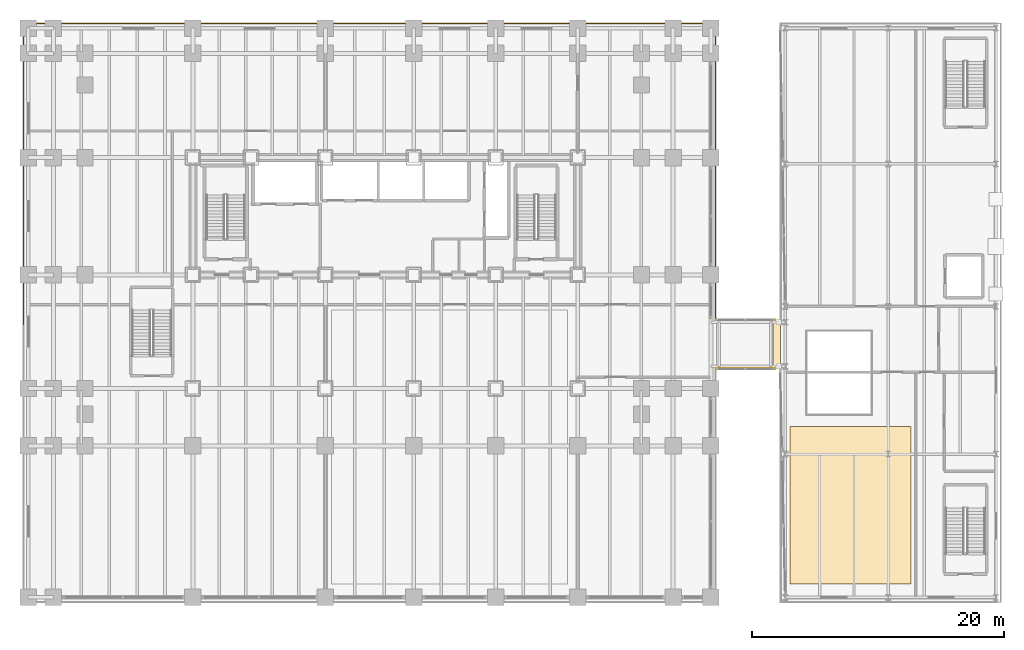
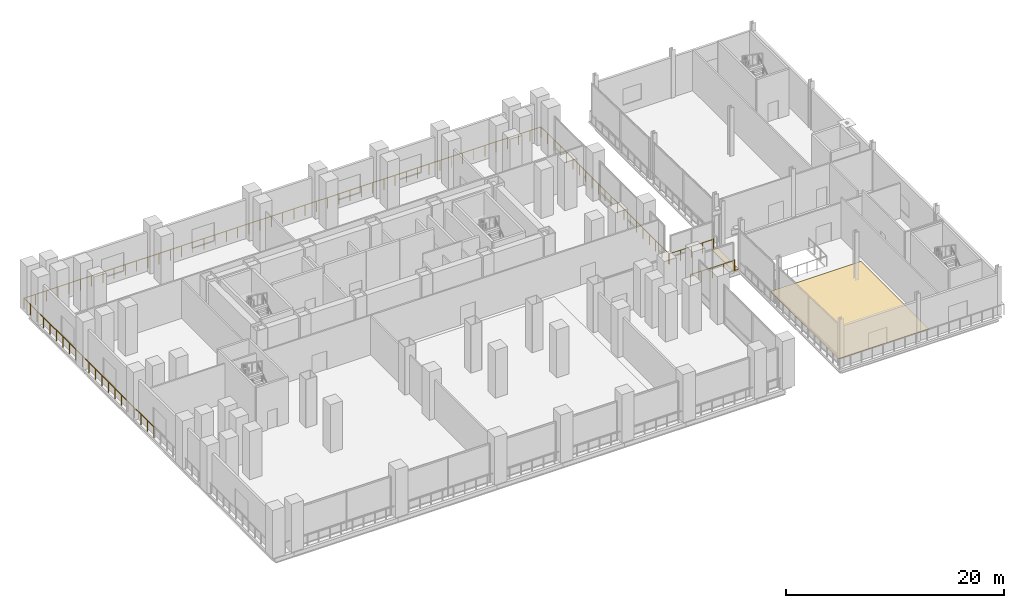
# One storey, part 29 of 31: 3 railings, 2 coverings.
"""IFC4 building model written with IfcOpenShell, lengths in metres."""

from ifc_helpers import new_model, si_unit, direction, frame, origin, origin_2d, place, context, subcontext, project, spatial, polyline, circle, outline, extrude, material, layer, layer_set, type_object, element, save


model = new_model("IFC4")

# Units and contexts
model_context = context("Model", 3, precision=1e-05, world=origin(), true_north=direction((0.0, 1.0)))
body_context = subcontext(model_context, "Body", "Model", "MODEL_VIEW")
ifc_project = project(units=[si_unit("LENGTHUNIT", "METRE"), si_unit("AREAUNIT", "SQUARE_METRE"), si_unit("VOLUMEUNIT", "CUBIC_METRE"), si_unit("PLANEANGLEUNIT", "RADIAN"), si_unit("MASSUNIT", "GRAM", prefix="KILO")], contexts=[model_context])

# Site, building, storey
site_placement = place(None, origin())
site = spatial("IfcSite", under=ifc_project, at=site_placement, CompositionType="ELEMENT")
building_placement = place(site_placement, origin())
building = spatial("IfcBuilding", under=site, at=building_placement, Name="Noeulbin Bourse Tower", CompositionType="ELEMENT")
storey_placement = place(building_placement, frame((0.0, 0.0, 11.199951171875)))
storey = spatial("IfcBuildingStorey", under=building, at=storey_placement, Name="L03", CompositionType="ELEMENT", Elevation=11.199951171875)

# Coverings
ifc_material_1 = material(Name="Honed Geumjeong Granite Paving", Category="masonry")
ifc_layer_1 = layer(ifc_material_1, 0.030029296875)
ifc_layer_set_1 = layer_set([ifc_layer_1], Name="Honed Geumjeong Granite Paving")
covering_type = type_object("IfcCoveringType", Name="COV-FLR-STN", PredefinedType="FLOORING", material=ifc_layer_set_1)
covering_1_placement = place(storey_placement, origin())
element("IfcCovering", 1, at=covering_1_placement, inside=storey, type_object=covering_type, Name="Market Hall Granite Paving L03", PredefinedType="FLOORING", context=body_context, shape_type="SweptSolid", body=[
    extrude(outline(polyline([(60.800048828125, 4.5), (70.39990234375, 4.5), (70.39990234375, 17.0), (60.800048828125, 17.0), (60.800048828125, 4.5)])), origin(), (0.0, 0.0, 1.0), 0.030029296875),
])
covering_2_placement = place(storey_placement, origin())
element("IfcCovering", 2, at=covering_2_placement, inside=storey, type_object=covering_type, Name="Seismic Expansion Joint Floor Cover L03", PredefinedType="FLOORING", context=body_context, shape_type="SweptSolid", body=[
    extrude(outline(polyline([(59.47998046875, 21.550048828125), (60.070068359375, 21.550048828125), (60.070068359375, 25.449951171875), (59.47998046875, 25.449951171875), (59.47998046875, 21.550048828125)])), origin(), (0.0, 0.0, 1.0), 0.030029296875),
])

# Railings
ifc_material_2 = material(Name="Stainless Steel 316 Post and Rail", Category="steel")
ifc_layer_2 = layer(ifc_material_2, 0.06005859375)
ifc_layer_set_2 = layer_set([ifc_layer_2], Name="Stainless Steel 316 Post and Rail")
railing_type = type_object("IfcRailingType", Name="RLG-TER-1200", PredefinedType="GUARDRAIL", material=ifc_layer_set_2)
railing_placement = place(storey_placement, frame((0.080078125, 25.06005859375, 0.0)))
element("IfcRailing", 3, at=railing_placement, inside=storey, type_object=railing_type, Name="Podium Perimeter Edge Guard L03-2", PredefinedType="GUARDRAIL", context=body_context, shape_type="SweptSolid", body=[
    extrude(circle(Radius=0.02392578125, at=origin_2d()), frame((0.0, 0.0, 1.17578125), z_axis=(0.0, 1.0, 0.0), x_axis=(-1.0, 0.0, 0.0)), (0.0, 0.0, 1.0), 23.85986328125),
    extrude(circle(Radius=0.02392578125, at=origin_2d()), frame((0.0, 23.85986328125, 1.17578125), z_axis=(1.0, 0.0, 0.0), x_axis=(0.0, 1.0, 0.0)), (0.0, 0.0, 1.0), 54.83984375),
    extrude(circle(Radius=0.02392578125, at=origin_2d()), frame((54.83984375, 23.85986328125, 1.17578125), z_axis=(0.0, -1.0, 0.0), x_axis=(1.0, 0.0, 0.0)), (0.0, 0.0, 1.0), 23.369873046875),
    extrude(circle(Radius=0.02099609375, at=origin_2d()), origin(), (0.0, 0.0, 1.0), 1.15185546875),
    extrude(circle(Radius=0.02099609375, at=origin_2d()), frame((0.0, 1.19287109375, 0.0)), (0.0, 0.0, 1.0), 1.15185546875),
    extrude(circle(Radius=0.02099609375, at=origin_2d()), frame((0.0, 2.385986328125, 0.0)), (0.0, 0.0, 1.0), 1.15185546875),
    extrude(circle(Radius=0.02099609375, at=origin_2d()), frame((0.0, 3.5791015625, 0.0)), (0.0, 0.0, 1.0), 1.15185546875),
    extrude(circle(Radius=0.02099609375, at=origin_2d()), frame((0.0, 4.77197265625, 0.0)), (0.0, 0.0, 1.0), 1.15185546875),
    extrude(circle(Radius=0.02099609375, at=origin_2d()), frame((0.0, 5.96484375, 0.0)), (0.0, 0.0, 1.0), 1.15185546875),
    extrude(circle(Radius=0.02099609375, at=origin_2d()), frame((0.0, 7.157958984375, 0.0)), (0.0, 0.0, 1.0), 1.15185546875),
    extrude(circle(Radius=0.02099609375, at=origin_2d()), frame((0.0, 8.35107421875, 0.0)), (0.0, 0.0, 1.0), 1.15185546875),
    extrude(circle(Radius=0.02099609375, at=origin_2d()), frame((0.0, 9.5439453125, 0.0)), (0.0, 0.0, 1.0), 1.15185546875),
    extrude(circle(Radius=0.02099609375, at=origin_2d()), frame((0.0, 10.73681640625, 0.0)), (0.0, 0.0, 1.0), 1.15185546875),
    extrude(circle(Radius=0.02099609375, at=origin_2d()), frame((0.0, 11.929931640625, 0.0)), (0.0, 0.0, 1.0), 1.15185546875),
    extrude(circle(Radius=0.02099609375, at=origin_2d()), frame((0.0, 13.123046875, 0.0)), (0.0, 0.0, 1.0), 1.15185546875),
    extrude(circle(Radius=0.02099609375, at=origin_2d()), frame((0.0, 14.31591796875, 0.0)), (0.0, 0.0, 1.0), 1.15185546875),
    extrude(circle(Radius=0.02099609375, at=origin_2d()), frame((0.0, 15.5087890625, 0.0)), (0.0, 0.0, 1.0), 1.15185546875),
    extrude(circle(Radius=0.02099609375, at=origin_2d()), frame((0.0, 16.701904296875, 0.0)), (0.0, 0.0, 1.0), 1.15185546875),
    extrude(circle(Radius=0.02099609375, at=origin_2d()), frame((0.0, 17.89501953125, 0.0)), (0.0, 0.0, 1.0), 1.15185546875),
    extrude(circle(Radius=0.02099609375, at=origin_2d()), frame((0.0, 19.087890625, 0.0)), (0.0, 0.0, 1.0), 1.15185546875),
    extrude(circle(Radius=0.02099609375, at=origin_2d()), frame((0.0, 20.28076171875, 0.0)), (0.0, 0.0, 1.0), 1.15185546875),
    extrude(circle(Radius=0.02099609375, at=origin_2d()), frame((0.0, 21.473876953125, 0.0)), (0.0, 0.0, 1.0), 1.15185546875),
    extrude(circle(Radius=0.02099609375, at=origin_2d()), frame((0.0, 22.6669921875, 0.0)), (0.0, 0.0, 1.0), 1.15185546875),
    extrude(circle(Radius=0.02099609375, at=origin_2d()), frame((0.0, 23.85986328125, 0.0)), (0.0, 0.0, 1.0), 1.15185546875),
    extrude(circle(Radius=0.02099609375, at=origin_2d()), frame((1.192138671875, 23.85986328125, 0.0)), (0.0, 0.0, 1.0), 1.15185546875),
    extrude(circle(Radius=0.02099609375, at=origin_2d()), frame((2.38427734375, 23.85986328125, 0.0)), (0.0, 0.0, 1.0), 1.15185546875),
    extrude(circle(Radius=0.02099609375, at=origin_2d()), frame((3.576416015625, 23.85986328125, 0.0)), (0.0, 0.0, 1.0), 1.15185546875),
    extrude(circle(Radius=0.02099609375, at=origin_2d()), frame((4.768798828125, 23.85986328125, 0.0)), (0.0, 0.0, 1.0), 1.15185546875),
    extrude(circle(Radius=0.02099609375, at=origin_2d()), frame((5.9609375, 23.85986328125, 0.0)), (0.0, 0.0, 1.0), 1.15185546875),
    extrude(circle(Radius=0.02099609375, at=origin_2d()), frame((7.153076171875, 23.85986328125, 0.0)), (0.0, 0.0, 1.0), 1.15185546875),
    extrude(circle(Radius=0.02099609375, at=origin_2d()), frame((8.34521484375, 23.85986328125, 0.0)), (0.0, 0.0, 1.0), 1.15185546875),
    extrude(circle(Radius=0.02099609375, at=origin_2d()), frame((9.537353515625, 23.85986328125, 0.0)), (0.0, 0.0, 1.0), 1.15185546875),
    extrude(circle(Radius=0.02099609375, at=origin_2d()), frame((10.7294921875, 23.85986328125, 0.0)), (0.0, 0.0, 1.0), 1.15185546875),
    extrude(circle(Radius=0.02099609375, at=origin_2d()), frame((11.921630859375, 23.85986328125, 0.0)), (0.0, 0.0, 1.0), 1.15185546875),
    extrude(circle(Radius=0.02099609375, at=origin_2d()), frame((13.11376953125, 23.85986328125, 0.0)), (0.0, 0.0, 1.0), 1.15185546875),
    extrude(circle(Radius=0.02099609375, at=origin_2d()), frame((14.30615234375, 23.85986328125, 0.0)), (0.0, 0.0, 1.0), 1.15185546875),
    extrude(circle(Radius=0.02099609375, at=origin_2d()), frame((15.498291015625, 23.85986328125, 0.0)), (0.0, 0.0, 1.0), 1.15185546875),
    extrude(circle(Radius=0.02099609375, at=origin_2d()), frame((16.6904296875, 23.85986328125, 0.0)), (0.0, 0.0, 1.0), 1.15185546875),
    extrude(circle(Radius=0.02099609375, at=origin_2d()), frame((17.882568359375, 23.85986328125, 0.0)), (0.0, 0.0, 1.0), 1.15185546875),
    extrude(circle(Radius=0.02099609375, at=origin_2d()), frame((19.07470703125, 23.85986328125, 0.0)), (0.0, 0.0, 1.0), 1.15185546875),
    extrude(circle(Radius=0.02099609375, at=origin_2d()), frame((20.266845703125, 23.85986328125, 0.0)), (0.0, 0.0, 1.0), 1.15185546875),
    extrude(circle(Radius=0.02099609375, at=origin_2d()), frame((21.458984375, 23.85986328125, 0.0)), (0.0, 0.0, 1.0), 1.15185546875),
    extrude(circle(Radius=0.02099609375, at=origin_2d()), frame((22.651123046875, 23.85986328125, 0.0)), (0.0, 0.0, 1.0), 1.15185546875),
    extrude(circle(Radius=0.02099609375, at=origin_2d()), frame((23.843505859375, 23.85986328125, 0.0)), (0.0, 0.0, 1.0), 1.15185546875),
    extrude(circle(Radius=0.02099609375, at=origin_2d()), frame((25.03564453125, 23.85986328125, 0.0)), (0.0, 0.0, 1.0), 1.15185546875),
    extrude(circle(Radius=0.02099609375, at=origin_2d()), frame((26.227783203125, 23.85986328125, 0.0)), (0.0, 0.0, 1.0), 1.15185546875),
    extrude(circle(Radius=0.02099609375, at=origin_2d()), frame((27.419921875, 23.85986328125, 0.0)), (0.0, 0.0, 1.0), 1.15185546875),
    extrude(circle(Radius=0.02099609375, at=origin_2d()), frame((28.612060546875, 23.85986328125, 0.0)), (0.0, 0.0, 1.0), 1.15185546875),
    extrude(circle(Radius=0.02099609375, at=origin_2d()), frame((29.80419921875, 23.85986328125, 0.0)), (0.0, 0.0, 1.0), 1.15185546875),
    extrude(circle(Radius=0.02099609375, at=origin_2d()), frame((30.996337890625, 23.85986328125, 0.0)), (0.0, 0.0, 1.0), 1.15185546875),
    extrude(circle(Radius=0.02099609375, at=origin_2d()), frame((32.188720703125, 23.85986328125, 0.0)), (0.0, 0.0, 1.0), 1.15185546875),
    extrude(circle(Radius=0.02099609375, at=origin_2d()), frame((33.380859375, 23.85986328125, 0.0)), (0.0, 0.0, 1.0), 1.15185546875),
    extrude(circle(Radius=0.02099609375, at=origin_2d()), frame((34.572998046875, 23.85986328125, 0.0)), (0.0, 0.0, 1.0), 1.15185546875),
    extrude(circle(Radius=0.02099609375, at=origin_2d()), frame((35.76513671875, 23.85986328125, 0.0)), (0.0, 0.0, 1.0), 1.15185546875),
    extrude(circle(Radius=0.02099609375, at=origin_2d()), frame((36.957275390625, 23.85986328125, 0.0)), (0.0, 0.0, 1.0), 1.15185546875),
    extrude(circle(Radius=0.02099609375, at=origin_2d()), frame((38.1494140625, 23.85986328125, 0.0)), (0.0, 0.0, 1.0), 1.15185546875),
    extrude(circle(Radius=0.02099609375, at=origin_2d()), frame((39.341552734375, 23.85986328125, 0.0)), (0.0, 0.0, 1.0), 1.15185546875),
    extrude(circle(Radius=0.02099609375, at=origin_2d()), frame((40.53369140625, 23.85986328125, 0.0)), (0.0, 0.0, 1.0), 1.15185546875),
    extrude(circle(Radius=0.02099609375, at=origin_2d()), frame((41.72607421875, 23.85986328125, 0.0)), (0.0, 0.0, 1.0), 1.15185546875),
    extrude(circle(Radius=0.02099609375, at=origin_2d()), frame((42.918212890625, 23.85986328125, 0.0)), (0.0, 0.0, 1.0), 1.15185546875),
    extrude(circle(Radius=0.02099609375, at=origin_2d()), frame((44.1103515625, 23.85986328125, 0.0)), (0.0, 0.0, 1.0), 1.15185546875),
    extrude(circle(Radius=0.02099609375, at=origin_2d()), frame((45.302490234375, 23.85986328125, 0.0)), (0.0, 0.0, 1.0), 1.15185546875),
    extrude(circle(Radius=0.02099609375, at=origin_2d()), frame((46.49462890625, 23.85986328125, 0.0)), (0.0, 0.0, 1.0), 1.15185546875),
    extrude(circle(Radius=0.02099609375, at=origin_2d()), frame((47.686767578125, 23.85986328125, 0.0)), (0.0, 0.0, 1.0), 1.15185546875),
    extrude(circle(Radius=0.02099609375, at=origin_2d()), frame((48.87890625, 23.85986328125, 0.0)), (0.0, 0.0, 1.0), 1.15185546875),
    extrude(circle(Radius=0.02099609375, at=origin_2d()), frame((50.071044921875, 23.85986328125, 0.0)), (0.0, 0.0, 1.0), 1.15185546875),
    extrude(circle(Radius=0.02099609375, at=origin_2d()), frame((51.263427734375, 23.85986328125, 0.0)), (0.0, 0.0, 1.0), 1.15185546875),
    extrude(circle(Radius=0.02099609375, at=origin_2d()), frame((52.45556640625, 23.85986328125, 0.0)), (0.0, 0.0, 1.0), 1.15185546875),
    extrude(circle(Radius=0.02099609375, at=origin_2d()), frame((53.647705078125, 23.85986328125, 0.0)), (0.0, 0.0, 1.0), 1.15185546875),
    extrude(circle(Radius=0.02099609375, at=origin_2d()), frame((54.83984375, 23.85986328125, 0.0)), (0.0, 0.0, 1.0), 1.15185546875),
    extrude(circle(Radius=0.02099609375, at=origin_2d()), frame((54.83984375, 22.69140625, 0.0)), (0.0, 0.0, 1.0), 1.15185546875),
    extrude(circle(Radius=0.02099609375, at=origin_2d()), frame((54.83984375, 21.52294921875, 0.0)), (0.0, 0.0, 1.0), 1.15185546875),
    extrude(circle(Radius=0.02099609375, at=origin_2d()), frame((54.83984375, 20.3544921875, 0.0)), (0.0, 0.0, 1.0), 1.15185546875),
    extrude(circle(Radius=0.02099609375, at=origin_2d()), frame((54.83984375, 19.185791015625, 0.0)), (0.0, 0.0, 1.0), 1.15185546875),
    extrude(circle(Radius=0.02099609375, at=origin_2d()), frame((54.83984375, 18.017333984375, 0.0)), (0.0, 0.0, 1.0), 1.15185546875),
    extrude(circle(Radius=0.02099609375, at=origin_2d()), frame((54.83984375, 16.848876953125, 0.0)), (0.0, 0.0, 1.0), 1.15185546875),
    extrude(circle(Radius=0.02099609375, at=origin_2d()), frame((54.83984375, 15.680419921875, 0.0)), (0.0, 0.0, 1.0), 1.15185546875),
    extrude(circle(Radius=0.02099609375, at=origin_2d()), frame((54.83984375, 14.511962890625, 0.0)), (0.0, 0.0, 1.0), 1.15185546875),
    extrude(circle(Radius=0.02099609375, at=origin_2d()), frame((54.83984375, 13.343505859375, 0.0)), (0.0, 0.0, 1.0), 1.15185546875),
    extrude(circle(Radius=0.02099609375, at=origin_2d()), frame((54.83984375, 12.1748046875, 0.0)), (0.0, 0.0, 1.0), 1.15185546875),
    extrude(circle(Radius=0.02099609375, at=origin_2d()), frame((54.83984375, 11.00634765625, 0.0)), (0.0, 0.0, 1.0), 1.15185546875),
    extrude(circle(Radius=0.02099609375, at=origin_2d()), frame((54.83984375, 9.837890625, 0.0)), (0.0, 0.0, 1.0), 1.15185546875),
    extrude(circle(Radius=0.02099609375, at=origin_2d()), frame((54.83984375, 8.66943359375, 0.0)), (0.0, 0.0, 1.0), 1.15185546875),
    extrude(circle(Radius=0.02099609375, at=origin_2d()), frame((54.83984375, 7.5009765625, 0.0)), (0.0, 0.0, 1.0), 1.15185546875),
    extrude(circle(Radius=0.02099609375, at=origin_2d()), frame((54.83984375, 6.33251953125, 0.0)), (0.0, 0.0, 1.0), 1.15185546875),
    extrude(circle(Radius=0.02099609375, at=origin_2d()), frame((54.83984375, 5.1640625, 0.0)), (0.0, 0.0, 1.0), 1.15185546875),
    extrude(circle(Radius=0.02099609375, at=origin_2d()), frame((54.83984375, 3.995361328125, 0.0)), (0.0, 0.0, 1.0), 1.15185546875),
    extrude(circle(Radius=0.02099609375, at=origin_2d()), frame((54.83984375, 2.826904296875, 0.0)), (0.0, 0.0, 1.0), 1.15185546875),
    extrude(circle(Radius=0.02099609375, at=origin_2d()), frame((54.83984375, 1.658447265625, 0.0)), (0.0, 0.0, 1.0), 1.15185546875),
    extrude(circle(Radius=0.02099609375, at=origin_2d()), frame((54.83984375, 0.489990234375, 0.0)), (0.0, 0.0, 1.0), 1.15185546875),
])
for number, where, name in (
    (4, (54.9599609375, 21.56005859375, 0.0), "Bridge South Edge Guard L03"),
    (5, (54.9599609375, 25.43994140625, 0.0), "Bridge North Edge Guard L03"),
):
    element("IfcRailing", number, at=place(storey_placement, frame(where)), inside=storey, type_object=railing_type, Name=name, PredefinedType="GUARDRAIL", context=body_context, shape_type="SweptSolid", body=[
        extrude(circle(Radius=0.02392578125, at=origin_2d()), frame((0.0, 0.0, 1.17578125), z_axis=(1.0, 0.0, 0.0), x_axis=(0.0, 1.0, 0.0)), (0.0, 0.0, 1.0), 4.679931640625),
        extrude(circle(Radius=0.02099609375, at=origin_2d()), origin(), (0.0, 0.0, 1.0), 1.15185546875),
        extrude(circle(Radius=0.02099609375, at=origin_2d()), frame((1.169921875, 0.0, 0.0)), (0.0, 0.0, 1.0), 1.15185546875),
        extrude(circle(Radius=0.02099609375, at=origin_2d()), frame((2.33984375, 0.0, 0.0)), (0.0, 0.0, 1.0), 1.15185546875),
        extrude(circle(Radius=0.02099609375, at=origin_2d()), frame((3.510009765625, 0.0, 0.0)), (0.0, 0.0, 1.0), 1.15185546875),
        extrude(circle(Radius=0.02099609375, at=origin_2d()), frame((4.679931640625, 0.0, 0.0)), (0.0, 0.0, 1.0), 1.15185546875),
    ])

save(model, "model.ifc")
